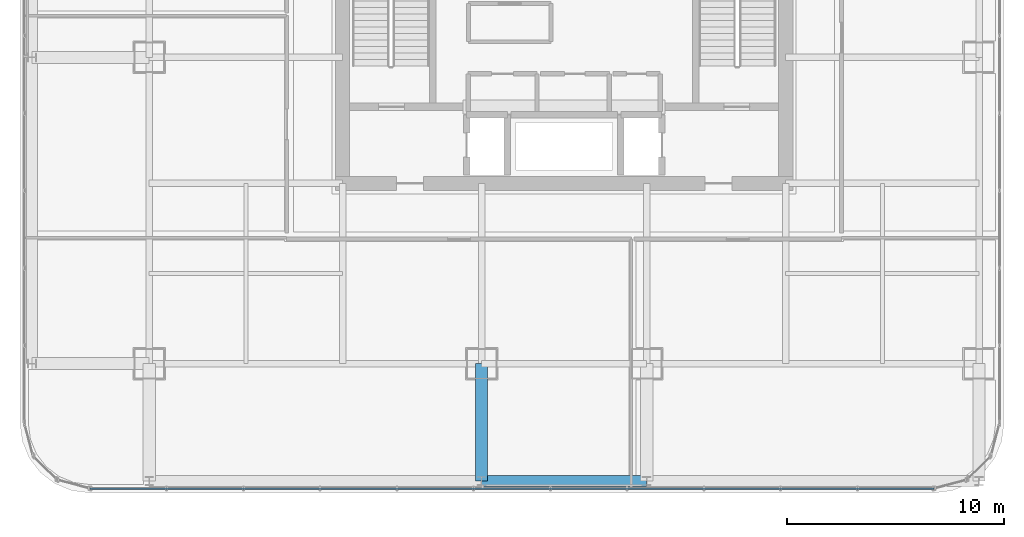
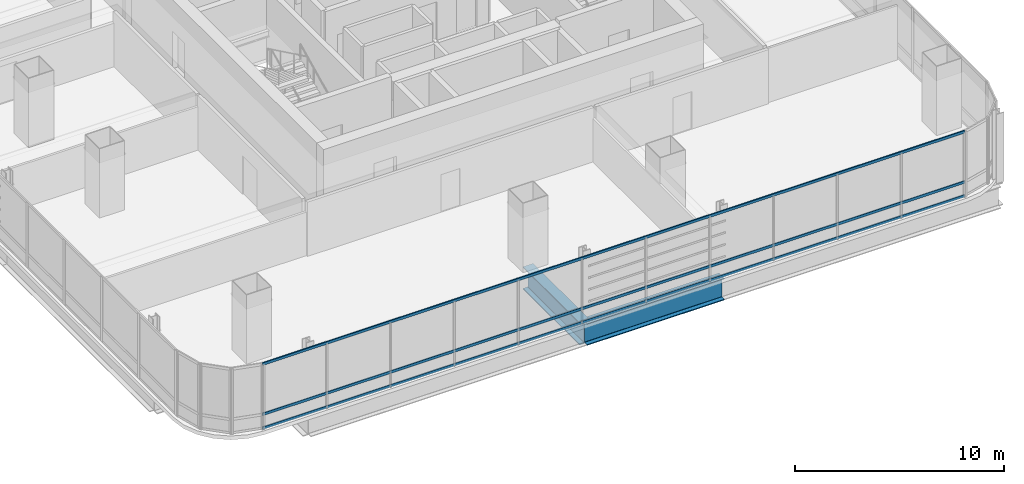
# One storey, part 7 of 36: 3 members, 2 beams, 1 element without a shape of its own.
"""IFC4 building model written with IfcOpenShell, lengths in metres."""

import ifcopenshell
import ifcopenshell.guid

model = None  # the IFC model being written
_history = None  # IfcOwnerHistory: only IFC2X3 demands one
_inside = {}  # id of a spatial element -> (the spatial element, [elements in it])
_under = {}  # id of a project, library or spatial element -> (it, [spatial elements below it])
_declared = {}  # id of a project -> (the project, [libraries it declares])
_typed = {}  # id of a type object -> (the type object, [elements of that type])
_made_of = {}  # id of a material, layer set ... -> (it, [elements and type objects made of it])


def new_model(schema):
    """Start an empty IFC model of exactly this schema.

    Asked for "IFC4X3", IfcOpenShell would pick the latest addendum, in which some entities
    have other attributes; the version numbers below select the first issue.
    IFC2X3 requires an IfcOwnerHistory on every rooted entity: one is made here for all.
    """
    global model, _history
    if schema == "IFC4X3":
        model = ifcopenshell.file(schema_version=(4, 3, 0, 0))
    else:
        model = ifcopenshell.file(schema=schema)
    _inside.clear()
    _under.clear()
    _declared.clear()
    _typed.clear()
    _made_of.clear()
    _history = None
    if model.schema == "IFC2X3":
        org = make("IfcOrganization", Name="unknown")
        user = make(
            "IfcPersonAndOrganization",
            ThePerson=make("IfcPerson", FamilyName="unknown"),
            TheOrganization=org,
        )
        app = make(
            "IfcApplication",
            ApplicationDeveloper=org,
            Version="unknown",
            ApplicationFullName="unknown",
            ApplicationIdentifier="unknown",
        )
        _history = make(
            "IfcOwnerHistory",
            OwningUser=user,
            OwningApplication=app,
            ChangeAction="ADDED",
            CreationDate=0,
        )
    return model


def make(cls, **values):
    """One entity of the class cls with the attributes given. An attribute that is None is left unset."""
    return model.create_entity(
        cls, **{name: value for name, value in values.items() if value is not None}
    )


def rooted(cls, **values):
    """An entity with a GlobalId (a new one), such as an element, a storey or a relation."""
    return make(cls, GlobalId=ifcopenshell.guid.new(), OwnerHistory=_history, **values)


def si_unit(unit_type, name, prefix=None):
    """IfcSIUnit, for example si_unit("LENGTHUNIT", "METRE", prefix="MILLI")."""
    return make("IfcSIUnit", UnitType=unit_type, Prefix=prefix, Name=name)


def assignment(units):
    """IfcUnitAssignment: the units of a project."""
    return None if units is None else make("IfcUnitAssignment", Units=units)


def point(xyz):
    """IfcCartesianPoint."""
    return None if xyz is None else make("IfcCartesianPoint", Coordinates=xyz)


def direction(xyz):
    """IfcDirection."""
    return None if xyz is None else make("IfcDirection", DirectionRatios=xyz)


def frame(location, z_axis=None, x_axis=None):
    """IfcAxis2Placement3D, a coordinate frame: its origin and axes. An axis left out is left unset."""
    return make(
        "IfcAxis2Placement3D",
        Location=point(location),
        Axis=direction(z_axis),
        RefDirection=direction(x_axis),
    )


def frame_2d(location, x_axis=None):
    """IfcAxis2Placement2D, a coordinate frame in the plane: its origin and x axis."""
    return make(
        "IfcAxis2Placement2D", Location=point(location), RefDirection=direction(x_axis)
    )


def origin():
    """The frame at (0, 0, 0) with its axes left unset."""
    return frame((0.0, 0.0, 0.0))


def origin_2d():
    """The frame at (0, 0) in the plane with its x axis left unset."""
    return frame_2d((0.0, 0.0))


def place(relative_to, where):
    """IfcLocalPlacement: puts the frame where relative to a parent placement (None: the world)."""
    return make(
        "IfcLocalPlacement", PlacementRelTo=relative_to, RelativePlacement=where
    )


def context(
    kind, dimensions, precision=None, world=None, true_north=None, identifier=None
):
    """IfcGeometricRepresentationContext, for example the 3D "Model" context."""
    return make(
        "IfcGeometricRepresentationContext",
        ContextIdentifier=identifier,
        ContextType=kind,
        CoordinateSpaceDimension=dimensions,
        Precision=precision,
        WorldCoordinateSystem=world,
        TrueNorth=true_north,
    )


def subcontext(parent, identifier, kind, view, scale=None):
    """IfcGeometricRepresentationSubContext, for example "Body" below "Model"."""
    return make(
        "IfcGeometricRepresentationSubContext",
        ContextIdentifier=identifier,
        ContextType=kind,
        ParentContext=parent,
        TargetScale=scale,
        TargetView=view,
    )


def project(units=None, contexts=None):
    """IfcProject with its units and contexts."""
    return rooted(
        "IfcProject",
        Name="project",
        RepresentationContexts=contexts,
        UnitsInContext=assignment(units),
    )


def spatial(cls, under=None, at=None, **own):
    """A site, building, storey or space (cls), placed at a placement, below another one or the project."""
    s = rooted(cls, ObjectPlacement=at, **own)
    if under is not None:
        _under.setdefault(under.id(), (under, []))[1].append(s)
    return s


def profile(cls, at=None, kind="AREA", **sizes):
    """A parametric profile (cls). Its sizes go by their IFC names, for example OverallWidth=200.0."""
    return make(cls, ProfileType=kind, Position=at, **sizes)


def hollow_rectangle(**sizes):
    """IfcRectangleHollowProfileDef."""
    return profile("IfcRectangleHollowProfileDef", **sizes)


def i_section(**sizes):
    """IfcIShapeProfileDef."""
    return profile("IfcIShapeProfileDef", **sizes)


def extrude(swept, where, along, depth):
    """IfcExtrudedAreaSolid: the profile swept, set in the frame where, extruded along a direction by depth."""
    return make(
        "IfcExtrudedAreaSolid",
        SweptArea=swept,
        Position=where,
        ExtrudedDirection=direction(along),
        Depth=depth,
    )


def shape(context_of_items, identifier, shape_type, items):
    """IfcShapeRepresentation: the items that make up one representation, for example the "Body"."""
    return make(
        "IfcShapeRepresentation",
        ContextOfItems=context_of_items,
        RepresentationIdentifier=identifier,
        RepresentationType=shape_type,
        Items=items,
    )


def material(Name=None, Category=None):
    """IfcMaterial."""
    return make("IfcMaterial", Name=Name, Category=Category)


def material_profile(
    of_material, cross_section, Name=None, Category=None, Priority=None
):
    """IfcMaterialProfile: a cross section and its material."""
    return make(
        "IfcMaterialProfile",
        Name=Name,
        Material=of_material,
        Profile=cross_section,
        Priority=Priority,
        Category=Category,
    )


def profile_set(profiles, Name=None, composite=None):
    """IfcMaterialProfileSet."""
    return make(
        "IfcMaterialProfileSet",
        Name=Name,
        MaterialProfiles=profiles,
        CompositeProfile=composite,
    )


def made_of(thing, what):
    """Note that an element or type object is made of a material, layer set ...; save() writes the relation."""
    if what is not None:
        _made_of.setdefault(what.id(), (what, []))[1].append(thing)
    return thing


def type_object(cls, material=None, **own):
    """A type object (cls), such as IfcWallType, which elements share."""
    return made_of(rooted(cls, **own), material)


def element(
    cls,
    number,
    at=None,
    inside=None,
    cuts=None,
    type_object=None,
    material=None,
    context=None,
    identifier="Body",
    shape_type=None,
    held_by="IfcProductDefinitionShape",
    body=None,
    shapes=None,
    **own,
):
    """One element of the class cls, such as IfcWall. Its Tag is "e" and its number.

    at: its placement. inside: the storey or other place that contains it. cuts: it is an
    opening in that element (IfcRelVoidsElement). A single representation is given by context,
    identifier, shape_type and body (its items); several are given by shapes. held_by: the class
    of the entity that holds the representations. save() writes the other relations.
    """
    e = rooted(cls, Tag="e%d" % number, ObjectPlacement=at, **own)
    if body is not None:
        shapes = [shape(context, identifier, shape_type, body)]
    if shapes is not None:
        e.Representation = make(held_by, Representations=shapes)
    if inside is not None:
        _inside.setdefault(inside.id(), (inside, []))[1].append(e)
    if cuts is not None:
        rooted(
            "IfcRelVoidsElement", RelatingBuildingElement=cuts, RelatedOpeningElement=e
        )
    if type_object is not None:
        _typed.setdefault(type_object.id(), (type_object, []))[1].append(e)
    return made_of(e, material)


def aggregate(whole, parts):
    """IfcRelAggregates: a whole, such as a stair, and the parts it consists of."""
    return rooted("IfcRelAggregates", RelatingObject=whole, RelatedObjects=parts)


def save(model, path):
    """Write the relations noted so far, then the file.

    IfcRelAggregates (storeys below a building ...), IfcRelContainedInSpatialStructure (elements
    in a storey), IfcRelDefinesByType, IfcRelAssociatesMaterial and IfcRelDeclares: one each for
    every whole, place, type object, material and project.
    """
    for whole, parts in _under.values():
        aggregate(whole, parts)
    for where, things in _inside.values():
        rooted(
            "IfcRelContainedInSpatialStructure",
            RelatedElements=things,
            RelatingStructure=where,
        )
    for kind, things in _typed.values():
        rooted("IfcRelDefinesByType", RelatedObjects=things, RelatingType=kind)
    for what, things in _made_of.values():
        rooted("IfcRelAssociatesMaterial", RelatedObjects=things, RelatingMaterial=what)
    for by, libraries in _declared.values():
        rooted("IfcRelDeclares", RelatingContext=by, RelatedDefinitions=libraries)
    model.write(path)


model = new_model("IFC4")

# Units and contexts
model_context = context("Model", 3, precision=1e-05, world=origin(), true_north=direction((0.0, 1.0)))
body_context = subcontext(model_context, "Body", "Model", "MODEL_VIEW")
ifc_project = project(units=[si_unit("LENGTHUNIT", "METRE"), si_unit("AREAUNIT", "SQUARE_METRE"), si_unit("VOLUMEUNIT", "CUBIC_METRE"), si_unit("PLANEANGLEUNIT", "RADIAN"), si_unit("MASSUNIT", "GRAM", prefix="KILO")], contexts=[model_context])

# Site, building, storey
site_placement = place(None, origin())
site = spatial("IfcSite", under=ifc_project, at=site_placement, CompositionType="ELEMENT")
building_placement = place(site_placement, origin())
building = spatial("IfcBuilding", under=site, at=building_placement, Name="Punatoya Terracotta Tower", CompositionType="ELEMENT")
storey_placement = place(building_placement, frame((0.0, 0.0, 180.300048828125)))
storey = spatial("IfcBuildingStorey", under=building, at=storey_placement, Name="L42", CompositionType="ELEMENT", Elevation=180.300048828125)

# Beams
ifc_material_1 = material(Name="Steel S460", Category="steel")
ifc_material_profile_1 = material_profile(ifc_material_1, i_section(OverallWidth=0.56005859375, OverallDepth=1.320068359375, WebThickness=0.035888671875, FlangeThickness=0.054931640625, FilletRadius=0.01806640625, at=origin_2d()))
ifc_profile_set_1 = profile_set([ifc_material_profile_1], Name="Steel S460")
beam_type_1 = type_object("IfcBeamType", Name="BM-TG-BLK", PredefinedType="BEAM", material=ifc_profile_set_1)
beam_1_placement = place(storey_placement, frame((-3.800048828125, -22.89990234375, -0.880126953125), z_axis=(0.0, 1.0, 0.0), x_axis=(-1.0, 0.0, 0.0)))
element("IfcBeam", 1, at=beam_1_placement, inside=storey, type_object=beam_type_1, Name="BM-L42-CANT-S2", PredefinedType="BEAM", context=body_context, shape_type="SweptSolid", body=[
    extrude(i_section(OverallWidth=0.56005859375, OverallDepth=1.320068359375, WebThickness=0.035888671875, FlangeThickness=0.054931640625, FilletRadius=0.01806640625, at=origin_2d()), origin(), (0.0, 0.0, 1.0), 5.39990234375),
])
ifc_material_profile_2 = material_profile(ifc_material_1, i_section(OverallWidth=0.52001953125, OverallDepth=1.280029296875, WebThickness=0.031982421875, FlangeThickness=0.050048828125, FilletRadius=0.01806640625, at=origin_2d()))
ifc_profile_set_2 = profile_set([ifc_material_profile_2], Name="Steel S460")
beam_type_2 = type_object("IfcBeamType", Name="BM-TG-NCK", PredefinedType="BEAM", material=ifc_profile_set_2)
beam_2_placement = place(storey_placement, frame((-3.800048828125, -22.89990234375, -0.860107421875), z_axis=(1.0, 0.0, 0.0), x_axis=(0.0, 1.0, 0.0)))
element("IfcBeam", 2, at=beam_2_placement, inside=storey, type_object=beam_type_2, Name="BM-L42-PER-S2", PredefinedType="BEAM", context=body_context, shape_type="SweptSolid", body=[
    extrude(i_section(OverallWidth=0.52001953125, OverallDepth=1.280029296875, WebThickness=0.031982421875, FlangeThickness=0.050048828125, FilletRadius=0.01806640625, at=origin_2d()), origin(), (0.0, 0.0, 1.0), 7.60009765625),
])

# Curtain wall, members
ifc_material_2 = material(Name="Aluminium 6063-T6 + Double Low-E Glass", Category="aluminium")
curtain_wall_type = type_object("IfcCurtainWallType", Name="CW-M2", PredefinedType="NOTDEFINED", material=ifc_material_2)
curtain_wall_placement = place(storey_placement, origin())
curtain_wall = element("IfcCurtainWall", 3, at=curtain_wall_placement, inside=storey, type_object=curtain_wall_type, Name="L42 Curtain Wall CW-L42-S01-1", PredefinedType="NOTDEFINED")
ifc_material_3 = material(Name="Aluminium 6063-T6", Category="aluminium")
ifc_material_profile_3 = material_profile(ifc_material_3, hollow_rectangle(XDim=0.068115234375, YDim=0.14990234375, WallThickness=0.00390625, at=origin_2d()))
ifc_profile_set_3 = profile_set([ifc_material_profile_3], Name="Aluminium 6063-T6")
member_type = type_object("IfcMemberType", Name="CW-TRN-TYP", PredefinedType="USERDEFINED", material=ifc_profile_set_3)
member_1_placement = place(storey_placement, frame((-21.8369140625, -23.25, 0.0400390625), z_axis=(1.0, 0.0, 0.0), x_axis=(0.0, 1.0, 0.0)))
member_1 = element("IfcMember", 4, at=member_1_placement, type_object=member_type, Name="CW-L42-S01-1 Transom 1", ObjectType="TRANSOM", PredefinedType="USERDEFINED", context=body_context, shape_type="SweptSolid", body=[
    extrude(hollow_rectangle(XDim=0.068115234375, YDim=0.14990234375, WallThickness=0.00390625, at=origin_2d()), origin(), (0.0, 0.0, 1.0), 38.873779296875),
])
member_2_placement = place(storey_placement, frame((-21.8369140625, -23.25, 0.849853515625), z_axis=(1.0, 0.0, 0.0), x_axis=(0.0, 1.0, 0.0)))
member_2 = element("IfcMember", 5, at=member_2_placement, type_object=member_type, Name="CW-L42-S01-1 Transom 2", ObjectType="TRANSOM", PredefinedType="USERDEFINED", context=body_context, shape_type="SweptSolid", body=[
    extrude(hollow_rectangle(XDim=0.068115234375, YDim=0.14990234375, WallThickness=0.00390625, at=origin_2d()), origin(), (0.0, 0.0, 1.0), 38.873779296875),
])
member_3_placement = place(storey_placement, frame((-21.8369140625, -23.25, 3.7900390625), z_axis=(1.0, 0.0, 0.0), x_axis=(0.0, 1.0, 0.0)))
member_3 = element("IfcMember", 6, at=member_3_placement, type_object=member_type, Name="CW-L42-S01-1 Transom 3", ObjectType="TRANSOM", PredefinedType="USERDEFINED", context=body_context, shape_type="SweptSolid", body=[
    extrude(hollow_rectangle(XDim=0.068115234375, YDim=0.14990234375, WallThickness=0.00390625, at=origin_2d()), origin(), (0.0, 0.0, 1.0), 38.873779296875),
])
aggregate(curtain_wall, [member_1, member_2, member_3])

save(model, "model.ifc")
